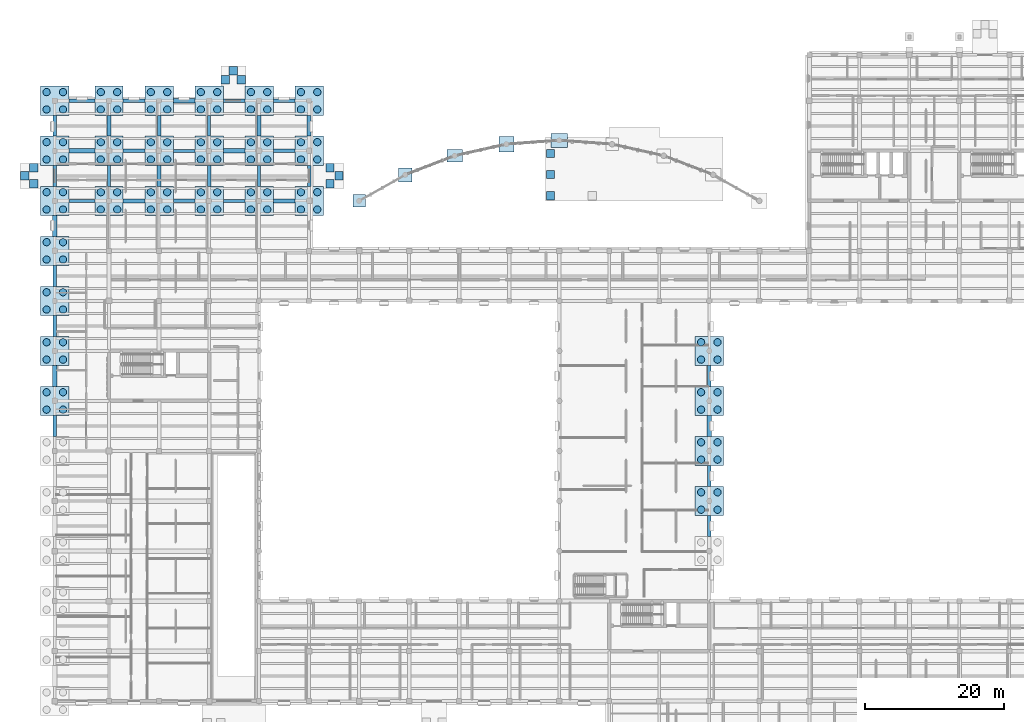
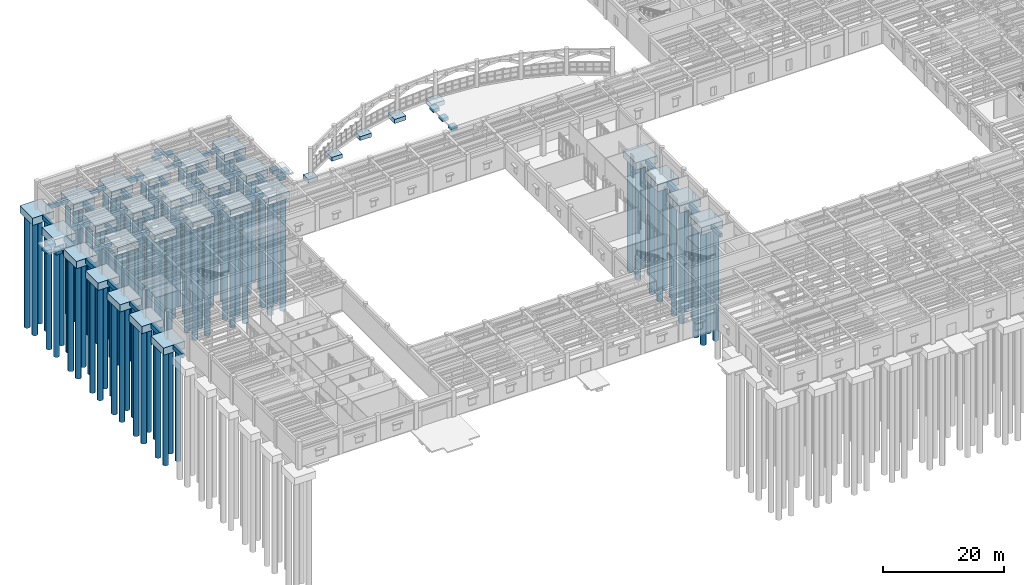
# One storey, part 2 of 100: 104 piles, 79 footings.
"""IFC4 building model written with IfcOpenShell, lengths in metres."""

from ifc_helpers import new_model, si_unit, direction, frame, origin, origin_2d, place, context, subcontext, project, spatial, rectangle, circle, extrude, material, material_profile, profile_set, type_object, element, save


model = new_model("IFC4")

# Units and contexts
model_context = context("Model", 3, precision=1e-05, world=origin(), true_north=direction((0.0, 1.0)))
body_context = subcontext(model_context, "Body", "Model", "MODEL_VIEW")
ifc_project = project(units=[si_unit("LENGTHUNIT", "METRE"), si_unit("AREAUNIT", "SQUARE_METRE"), si_unit("VOLUMEUNIT", "CUBIC_METRE"), si_unit("PLANEANGLEUNIT", "RADIAN"), si_unit("MASSUNIT", "GRAM", prefix="KILO")], contexts=[model_context])

# Site, building, storey
site_placement = place(None, origin())
site = spatial("IfcSite", under=ifc_project, at=site_placement, CompositionType="ELEMENT")
building_placement = place(site_placement, origin())
building = spatial("IfcBuilding", under=site, at=building_placement, Name="Mithqara Police Headquarters", CompositionType="ELEMENT")
storey_placement = place(building_placement, origin())
storey = spatial("IfcBuildingStorey", under=building, at=storey_placement, Name="L00", CompositionType="ELEMENT", Elevation=0.0)

# Footings
ifc_material = material(Name="Concrete C40/50", Category="concrete")
footing_type_1 = type_object("IfcFootingType", Name="GROUND BEAM 450X750", PredefinedType="FOOTING_BEAM", material=ifc_material)
footing_1_placement = place(storey_placement, frame((0.0, 75.0, -1.070068359375), z_axis=(0.0, 0.0, 1.0), x_axis=(1.0, 0.0, 0.0)))
element("IfcFooting", 1, at=footing_1_placement, inside=storey, type_object=footing_type_1, Name="L00 Ground Tie Beam 1/L-M", PredefinedType="FOOTING_BEAM", context=body_context, shape_type="SweptSolid", body=[
    extrude(rectangle(XDim=0.449951171875, YDim=3.0, at=origin_2d()), origin(), (0.0, 0.0, 1.0), 0.75),
])
footing_2_placement = place(storey_placement, frame((3.89990234375, 93.0, -1.070068359375), z_axis=(0.0, 0.0, 1.0), x_axis=(1.0, 0.0, 0.0)))
element("IfcFooting", 2, at=footing_2_placement, inside=storey, type_object=footing_type_1, Name="L00 Ground Tie Beam 1-2/P", PredefinedType="FOOTING_BEAM", context=body_context, shape_type="SweptSolid", body=[
    extrude(rectangle(XDim=3.699951171875, YDim=0.449951171875, at=origin_2d()), origin(), (0.0, 0.0, 1.0), 0.75),
])
for number, where, z_axis, x_axis, name in (
    (3, (0.0, 103.800048828125, -1.070068359375), (0.0, 0.0, 1.0), (1.0, 0.0, 0.0), "L00 Ground Tie Beam 1/Q-R"),
    (4, (7.800048828125, 96.60009765625, -1.070068359375), (0.0, 0.0, 1.0), (1.0, 0.0, 0.0), "L00 Ground Tie Beam 2/P-Q"),
):
    element("IfcFooting", number, at=place(storey_placement, frame(where, z_axis=z_axis, x_axis=x_axis)), inside=storey, type_object=footing_type_1, Name=name, PredefinedType="FOOTING_BEAM", context=body_context, shape_type="SweptSolid", body=[
        extrude(rectangle(XDim=0.449951171875, YDim=3.0, at=origin_2d()), origin(), (0.0, 0.0, 1.0), 0.75),
    ])
for number, where, z_axis, x_axis, name in (
    (5, (11.39990234375, 107.39990234375, -1.070068359375), (0.0, 0.0, 1.0), (1.0, 0.0, 0.0), "L00 Ground Tie Beam 2-3/R"),
    (6, (18.60009765625, 100.199951171875, -1.070068359375), (0.0, 0.0, 1.0), (1.0, 0.0, 0.0), "L00 Ground Tie Beam 3-4/Q"),
    (7, (25.800048828125, 93.0, -1.070068359375), (0.0, 0.0, 1.0), (1.0, 0.0, 0.0), "L00 Ground Tie Beam 4-5/P"),
):
    element("IfcFooting", number, at=place(storey_placement, frame(where, z_axis=z_axis, x_axis=x_axis)), inside=storey, type_object=footing_type_1, Name=name, PredefinedType="FOOTING_BEAM", context=body_context, shape_type="SweptSolid", body=[
        extrude(rectangle(XDim=3.10009765625, YDim=0.449951171875, at=origin_2d()), origin(), (0.0, 0.0, 1.0), 0.75),
    ])
for number, where, z_axis, x_axis, name in (
    (8, (22.199951171875, 103.800048828125, -1.070068359375), (0.0, 0.0, 1.0), (1.0, 0.0, 0.0), "L00 Ground Tie Beam 4/Q-R"),
    (9, (29.39990234375, 96.60009765625, -1.070068359375), (0.0, 0.0, 1.0), (1.0, 0.0, 0.0), "L00 Ground Tie Beam 5/P-Q"),
):
    element("IfcFooting", number, at=place(storey_placement, frame(where, z_axis=z_axis, x_axis=x_axis)), inside=storey, type_object=footing_type_1, Name=name, PredefinedType="FOOTING_BEAM", context=body_context, shape_type="SweptSolid", body=[
        extrude(rectangle(XDim=0.449951171875, YDim=3.0, at=origin_2d()), origin(), (0.0, 0.0, 1.0), 0.75),
    ])
footing_3_placement = place(storey_placement, frame((33.0, 107.39990234375, -1.070068359375), z_axis=(0.0, 0.0, 1.0), x_axis=(1.0, 0.0, 0.0)))
element("IfcFooting", 10, at=footing_3_placement, inside=storey, type_object=footing_type_1, Name="L00 Ground Tie Beam 5-6/R", PredefinedType="FOOTING_BEAM", context=body_context, shape_type="SweptSolid", body=[
    extrude(rectangle(XDim=3.10009765625, YDim=0.449951171875, at=origin_2d()), origin(), (0.0, 0.0, 1.0), 0.75),
])
for number, where, z_axis, x_axis, name in (
    (11, (94.199951171875, 46.199951171875, -1.070068359375), (0.0, 0.0, 1.0), (1.0, 0.0, 0.0), "L00 Ground Tie Beam 14/G-H"),
    (12, (94.199951171875, 67.800048828125, -1.070068359375), (0.0, 0.0, 1.0), (1.0, 0.0, 0.0), "L00 Ground Tie Beam 14/K-L"),
):
    element("IfcFooting", number, at=place(storey_placement, frame(where, z_axis=z_axis, x_axis=x_axis)), inside=storey, type_object=footing_type_1, Name=name, PredefinedType="FOOTING_BEAM", context=body_context, shape_type="SweptSolid", body=[
        extrude(rectangle(XDim=0.449951171875, YDim=3.0, at=origin_2d()), origin(), (0.0, 0.0, 1.0), 0.75),
    ])
footing_type_2 = type_object("IfcFootingType", Name="GROUND BEAM 500X850", PredefinedType="FOOTING_BEAM", material=ifc_material)
for number, where, z_axis, x_axis, name in (
    (13, (0.0, 60.60009765625, -1.170166015625), (0.0, 0.0, 1.0), (1.0, 0.0, 0.0), "L00 Ground Tie Beam 1/J-K"),
    (14, (0.0, 82.199951171875, -1.170166015625), (0.0, 0.0, 1.0), (1.0, 0.0, 0.0), "L00 Ground Tie Beam 1/M-N"),
    (15, (0.0, 96.60009765625, -1.170166015625), (0.0, 0.0, 1.0), (1.0, 0.0, 0.0), "L00 Ground Tie Beam 1/P-Q"),
):
    element("IfcFooting", number, at=place(storey_placement, frame(where, z_axis=z_axis, x_axis=x_axis)), inside=storey, type_object=footing_type_2, Name=name, PredefinedType="FOOTING_BEAM", context=body_context, shape_type="SweptSolid", body=[
        extrude(rectangle(XDim=0.5, YDim=3.0, at=origin_2d()), origin(), (0.0, 0.0, 1.0), 0.85009765625),
    ])
footing_4_placement = place(storey_placement, frame((3.89990234375, 107.39990234375, -1.170166015625), z_axis=(0.0, 0.0, 1.0), x_axis=(1.0, 0.0, 0.0)))
element("IfcFooting", 16, at=footing_4_placement, inside=storey, type_object=footing_type_2, Name="L00 Ground Tie Beam 1-2/R", PredefinedType="FOOTING_BEAM", context=body_context, shape_type="SweptSolid", body=[
    extrude(rectangle(XDim=3.699951171875, YDim=0.5, at=origin_2d()), origin(), (0.0, 0.0, 1.0), 0.85009765625),
])
for number, where, z_axis, x_axis, name in (
    (17, (11.39990234375, 100.199951171875, -1.170166015625), (0.0, 0.0, 1.0), (1.0, 0.0, 0.0), "L00 Ground Tie Beam 2-3/Q"),
    (18, (18.60009765625, 93.0, -1.170166015625), (0.0, 0.0, 1.0), (1.0, 0.0, 0.0), "L00 Ground Tie Beam 3-4/P"),
):
    element("IfcFooting", number, at=place(storey_placement, frame(where, z_axis=z_axis, x_axis=x_axis)), inside=storey, type_object=footing_type_2, Name=name, PredefinedType="FOOTING_BEAM", context=body_context, shape_type="SweptSolid", body=[
        extrude(rectangle(XDim=3.10009765625, YDim=0.5, at=origin_2d()), origin(), (0.0, 0.0, 1.0), 0.85009765625),
    ])
for number, where, z_axis, x_axis, name in (
    (19, (15.0, 103.800048828125, -1.170166015625), (0.0, 0.0, 1.0), (1.0, 0.0, 0.0), "L00 Ground Tie Beam 3/Q-R"),
    (20, (22.199951171875, 96.60009765625, -1.170166015625), (0.0, 0.0, 1.0), (1.0, 0.0, 0.0), "L00 Ground Tie Beam 4/P-Q"),
):
    element("IfcFooting", number, at=place(storey_placement, frame(where, z_axis=z_axis, x_axis=x_axis)), inside=storey, type_object=footing_type_2, Name=name, PredefinedType="FOOTING_BEAM", context=body_context, shape_type="SweptSolid", body=[
        extrude(rectangle(XDim=0.5, YDim=3.0, at=origin_2d()), origin(), (0.0, 0.0, 1.0), 0.85009765625),
    ])
for number, where, z_axis, x_axis, name in (
    (21, (25.800048828125, 107.39990234375, -1.170166015625), (0.0, 0.0, 1.0), (1.0, 0.0, 0.0), "L00 Ground Tie Beam 4-5/R"),
    (22, (33.0, 100.199951171875, -1.170166015625), (0.0, 0.0, 1.0), (1.0, 0.0, 0.0), "L00 Ground Tie Beam 5-6/Q"),
):
    element("IfcFooting", number, at=place(storey_placement, frame(where, z_axis=z_axis, x_axis=x_axis)), inside=storey, type_object=footing_type_2, Name=name, PredefinedType="FOOTING_BEAM", context=body_context, shape_type="SweptSolid", body=[
        extrude(rectangle(XDim=3.10009765625, YDim=0.5, at=origin_2d()), origin(), (0.0, 0.0, 1.0), 0.85009765625),
    ])
for number, where, z_axis, x_axis, name in (
    (23, (36.60009765625, 96.60009765625, -1.170166015625), (0.0, 0.0, 1.0), (1.0, 0.0, 0.0), "L00 Ground Tie Beam 6/P-Q"),
    (24, (94.199951171875, 53.39990234375, -1.170166015625), (0.0, 0.0, 1.0), (1.0, 0.0, 0.0), "L00 Ground Tie Beam 14/H-J"),
):
    element("IfcFooting", number, at=place(storey_placement, frame(where, z_axis=z_axis, x_axis=x_axis)), inside=storey, type_object=footing_type_2, Name=name, PredefinedType="FOOTING_BEAM", context=body_context, shape_type="SweptSolid", body=[
        extrude(rectangle(XDim=0.5, YDim=3.0, at=origin_2d()), origin(), (0.0, 0.0, 1.0), 0.85009765625),
    ])
footing_type_3 = type_object("IfcFootingType", Name="GROUND BEAM 600X950", PredefinedType="FOOTING_BEAM", material=ifc_material)
for number, where, z_axis, x_axis, name in (
    (25, (0.0, 67.800048828125, -1.27001953125), (0.0, 0.0, 1.0), (1.0, 0.0, 0.0), "L00 Ground Tie Beam 1/K-L"),
    (26, (0.0, 89.39990234375, -1.27001953125), (0.0, 0.0, 1.0), (1.0, 0.0, 0.0), "L00 Ground Tie Beam 1/N-P"),
):
    element("IfcFooting", number, at=place(storey_placement, frame(where, z_axis=z_axis, x_axis=x_axis)), inside=storey, type_object=footing_type_3, Name=name, PredefinedType="FOOTING_BEAM", context=body_context, shape_type="SweptSolid", body=[
        extrude(rectangle(XDim=0.60009765625, YDim=3.0, at=origin_2d()), origin(), (0.0, 0.0, 1.0), 0.949951171875),
    ])
footing_5_placement = place(storey_placement, frame((3.89990234375, 100.199951171875, -1.27001953125), z_axis=(0.0, 0.0, 1.0), x_axis=(1.0, 0.0, 0.0)))
element("IfcFooting", 27, at=footing_5_placement, inside=storey, type_object=footing_type_3, Name="L00 Ground Tie Beam 1-2/Q", PredefinedType="FOOTING_BEAM", context=body_context, shape_type="SweptSolid", body=[
    extrude(rectangle(XDim=3.699951171875, YDim=0.60009765625, at=origin_2d()), origin(), (0.0, 0.0, 1.0), 0.949951171875),
])
footing_6_placement = place(storey_placement, frame((11.39990234375, 93.0, -1.27001953125), z_axis=(0.0, 0.0, 1.0), x_axis=(1.0, 0.0, 0.0)))
element("IfcFooting", 28, at=footing_6_placement, inside=storey, type_object=footing_type_3, Name="L00 Ground Tie Beam 2-3/P", PredefinedType="FOOTING_BEAM", context=body_context, shape_type="SweptSolid", body=[
    extrude(rectangle(XDim=3.10009765625, YDim=0.60009765625, at=origin_2d()), origin(), (0.0, 0.0, 1.0), 0.949951171875),
])
for number, where, z_axis, x_axis, name in (
    (29, (7.800048828125, 103.800048828125, -1.27001953125), (0.0, 0.0, 1.0), (1.0, 0.0, 0.0), "L00 Ground Tie Beam 2/Q-R"),
    (30, (15.0, 96.60009765625, -1.27001953125), (0.0, 0.0, 1.0), (1.0, 0.0, 0.0), "L00 Ground Tie Beam 3/P-Q"),
):
    element("IfcFooting", number, at=place(storey_placement, frame(where, z_axis=z_axis, x_axis=x_axis)), inside=storey, type_object=footing_type_3, Name=name, PredefinedType="FOOTING_BEAM", context=body_context, shape_type="SweptSolid", body=[
        extrude(rectangle(XDim=0.60009765625, YDim=3.0, at=origin_2d()), origin(), (0.0, 0.0, 1.0), 0.949951171875),
    ])
for number, where, z_axis, x_axis, name in (
    (31, (18.60009765625, 107.39990234375, -1.27001953125), (0.0, 0.0, 1.0), (1.0, 0.0, 0.0), "L00 Ground Tie Beam 3-4/R"),
    (32, (25.800048828125, 100.199951171875, -1.27001953125), (0.0, 0.0, 1.0), (1.0, 0.0, 0.0), "L00 Ground Tie Beam 4-5/Q"),
    (33, (33.0, 93.0, -1.27001953125), (0.0, 0.0, 1.0), (1.0, 0.0, 0.0), "L00 Ground Tie Beam 5-6/P"),
):
    element("IfcFooting", number, at=place(storey_placement, frame(where, z_axis=z_axis, x_axis=x_axis)), inside=storey, type_object=footing_type_3, Name=name, PredefinedType="FOOTING_BEAM", context=body_context, shape_type="SweptSolid", body=[
        extrude(rectangle(XDim=3.10009765625, YDim=0.60009765625, at=origin_2d()), origin(), (0.0, 0.0, 1.0), 0.949951171875),
    ])
for number, where, z_axis, x_axis, name in (
    (34, (29.39990234375, 103.800048828125, -1.27001953125), (0.0, 0.0, 1.0), (1.0, 0.0, 0.0), "L00 Ground Tie Beam 5/Q-R"),
    (35, (36.60009765625, 103.800048828125, -1.27001953125), (0.0, 0.0, 1.0), (1.0, 0.0, 0.0), "L00 Ground Tie Beam 6/Q-R"),
    (36, (94.199951171875, 60.60009765625, -1.27001953125), (0.0, 0.0, 1.0), (1.0, 0.0, 0.0), "L00 Ground Tie Beam 14/J-K"),
):
    element("IfcFooting", number, at=place(storey_placement, frame(where, z_axis=z_axis, x_axis=x_axis)), inside=storey, type_object=footing_type_3, Name=name, PredefinedType="FOOTING_BEAM", context=body_context, shape_type="SweptSolid", body=[
        extrude(rectangle(XDim=0.60009765625, YDim=3.0, at=origin_2d()), origin(), (0.0, 0.0, 1.0), 0.949951171875),
    ])
footing_type_4 = type_object("IfcFootingType", Name="PAD FOOTING 1200X1200X650", PredefinedType="PAD_FOOTING", material=ifc_material)
for number, where, z_axis, x_axis, name in (
    (37, (71.35009765625, 93.75, -0.909912109375), (0.0, 0.0, 1.0), (1.0, 0.0, 0.0), "Public Entrance Portal Forecourt Apron Support Pad 1"),
    (38, (71.35009765625, 96.783203125, -0.909912109375), (0.0, 0.0, 1.0), (1.0, 0.0, 0.0), "Public Entrance Portal Forecourt Apron Support Pad 2"),
    (39, (71.35009765625, 99.816650390625, -0.909912109375), (0.0, 0.0, 1.0), (1.0, 0.0, 0.0), "Public Entrance Portal Forecourt Apron Support Pad 3"),
    (40, (39.610107421875, 95.449951171875, -0.909912109375), (0.0, 0.0, 1.0), (1.0, 0.0, 0.0), "Ground Exit Threshold Footing 6-1"),
    (41, (39.610107421875, 97.75, -0.909912109375), (0.0, 0.0, 1.0), (1.0, 0.0, 0.0), "Ground Exit Threshold Footing 6-2"),
    (42, (40.909912109375, 96.60009765625, -0.909912109375), (0.0, 0.0, 1.0), (1.0, 0.0, 0.0), "Ground Exit Threshold Footing 6-3"),
    (43, (26.833984375, 110.409912109375, -0.909912109375), (0.0, 0.0, 1.0), (1.0, 0.0, 0.0), "Ground Exit Threshold Footing 7-1"),
    (44, (24.533935546875, 110.409912109375, -0.909912109375), (0.0, 0.0, 1.0), (1.0, 0.0, 0.0), "Ground Exit Threshold Footing 7-2"),
    (45, (25.68408203125, 111.7099609375, -0.909912109375), (0.0, 0.0, 1.0), (1.0, 0.0, 0.0), "Ground Exit Threshold Footing 7-3"),
    (46, (-3.010009765625, 97.75, -0.909912109375), (0.0, 0.0, 1.0), (1.0, 0.0, 0.0), "Ground Exit Threshold Footing 8-1"),
    (47, (-3.010009765625, 95.449951171875, -0.909912109375), (0.0, 0.0, 1.0), (1.0, 0.0, 0.0), "Ground Exit Threshold Footing 8-2"),
    (48, (-4.31005859375, 96.60009765625, -0.909912109375), (0.0, 0.0, 1.0), (1.0, 0.0, 0.0), "Ground Exit Threshold Footing 8-3"),
):
    element("IfcFooting", number, at=place(storey_placement, frame(where, z_axis=z_axis, x_axis=x_axis)), inside=storey, type_object=footing_type_4, Name=name, PredefinedType="PAD_FOOTING", context=body_context, shape_type="SweptSolid", body=[
        extrude(rectangle(XDim=1.199951171875, YDim=1.199951171875, at=origin_2d()), origin(), (0.0, 0.0, 1.0), 0.64990234375),
    ])
footing_type_5 = type_object("IfcFootingType", Name="PAD FOOTING 1800X1800X750", PredefinedType="PAD_FOOTING", material=ifc_material)
footing_7_placement = place(storey_placement, frame((43.800048828125, 93.0, -1.070068359375), z_axis=(0.0, 0.0, 1.0), x_axis=(1.0, 0.0, 0.0)))
element("IfcFooting", 49, at=footing_7_placement, inside=storey, type_object=footing_type_5, Name="Forecourt Arcade Footing 1", PredefinedType="PAD_FOOTING", context=body_context, shape_type="SweptSolid", body=[
    extrude(rectangle(XDim=1.800048828125, YDim=1.800048828125, at=origin_2d()), origin(), (0.0, 0.0, 1.0), 0.75),
])
footing_type_6 = type_object("IfcFootingType", Name="PAD FOOTING 2000X2000X800", PredefinedType="PAD_FOOTING", material=ifc_material)
footing_8_placement = place(storey_placement, frame((50.440185546875, 96.74560546875, -1.1201171875), z_axis=(0.0, 0.0, 1.0), x_axis=(1.0, 0.0, 0.0)))
element("IfcFooting", 50, at=footing_8_placement, inside=storey, type_object=footing_type_6, Name="Forecourt Arcade Footing 2", PredefinedType="PAD_FOOTING", context=body_context, shape_type="SweptSolid", body=[
    extrude(rectangle(XDim=2.0, YDim=2.0, at=origin_2d()), origin(), (0.0, 0.0, 1.0), 0.800048828125),
])
footing_type_7 = type_object("IfcFootingType", Name="PAD FOOTING 2200X1800X800", PredefinedType="PAD_FOOTING", material=ifc_material)
footing_9_placement = place(storey_placement, frame((57.556884765625, 99.480224609375, -1.1201171875), z_axis=(0.0, 0.0, 1.0), x_axis=(1.0, 0.0, 0.0)))
element("IfcFooting", 51, at=footing_9_placement, inside=storey, type_object=footing_type_7, Name="Forecourt Arcade Footing 3", PredefinedType="PAD_FOOTING", context=body_context, shape_type="SweptSolid", body=[
    extrude(rectangle(XDim=2.199951171875, YDim=1.800048828125, at=origin_2d()), origin(), (0.0, 0.0, 1.0), 0.800048828125),
])
footing_type_8 = type_object("IfcFootingType", Name="PAD FOOTING 2200X2200X850", PredefinedType="PAD_FOOTING", material=ifc_material)
footing_10_placement = place(storey_placement, frame((64.99658203125, 101.14501953125, -1.170166015625), z_axis=(0.0, 0.0, 1.0), x_axis=(1.0, 0.0, 0.0)))
element("IfcFooting", 52, at=footing_10_placement, inside=storey, type_object=footing_type_8, Name="Forecourt Arcade Footing 4", PredefinedType="PAD_FOOTING", context=body_context, shape_type="SweptSolid", body=[
    extrude(rectangle(XDim=2.199951171875, YDim=2.199951171875, at=origin_2d()), origin(), (0.0, 0.0, 1.0), 0.85009765625),
])
footing_type_9 = type_object("IfcFootingType", Name="PAD FOOTING 2400X2000X850", PredefinedType="PAD_FOOTING", material=ifc_material)
footing_11_placement = place(storey_placement, frame((72.60009765625, 101.703857421875, -1.170166015625), z_axis=(0.0, 0.0, 1.0), x_axis=(1.0, 0.0, 0.0)))
element("IfcFooting", 53, at=footing_11_placement, inside=storey, type_object=footing_type_9, Name="Forecourt Arcade Footing 5", PredefinedType="PAD_FOOTING", context=body_context, shape_type="SweptSolid", body=[
    extrude(rectangle(XDim=2.39990234375, YDim=2.0, at=origin_2d()), origin(), (0.0, 0.0, 1.0), 0.85009765625),
])
footing_type_10 = type_object("IfcFootingType", Name="PILE CAP 4P 3800X4200X1450", PredefinedType="PILE_CAP", material=ifc_material)
for number, where, z_axis, x_axis, name in (
    (54, (0.0, 64.199951171875, -1.77001953125), (0.0, 0.0, 1.0), (1.0, 0.0, 0.0), "L00 Pile Cap 1/K"),
    (55, (0.0, 71.39990234375, -1.77001953125), (0.0, 0.0, 1.0), (1.0, 0.0, 0.0), "L00 Pile Cap 1/L"),
    (56, (0.0, 78.60009765625, -1.77001953125), (0.0, 0.0, 1.0), (1.0, 0.0, 0.0), "L00 Pile Cap 1/M"),
    (57, (0.0, 85.800048828125, -1.77001953125), (0.0, 0.0, 1.0), (1.0, 0.0, 0.0), "L00 Pile Cap 1/N"),
    (58, (0.0, 93.0, -1.77001953125), (0.0, 0.0, 1.0), (1.0, 0.0, 0.0), "L00 Pile Cap 1/P"),
    (59, (0.0, 100.199951171875, -1.77001953125), (0.0, 0.0, 1.0), (1.0, 0.0, 0.0), "L00 Pile Cap 1/Q"),
    (60, (0.0, 107.39990234375, -1.77001953125), (0.0, 0.0, 1.0), (1.0, 0.0, 0.0), "L00 Pile Cap 1/R"),
    (61, (7.800048828125, 93.0, -1.77001953125), (0.0, 0.0, 1.0), (1.0, 0.0, 0.0), "L00 Pile Cap 2/P"),
    (62, (7.800048828125, 100.199951171875, -1.77001953125), (0.0, 0.0, 1.0), (1.0, 0.0, 0.0), "L00 Pile Cap 2/Q"),
    (63, (7.800048828125, 107.39990234375, -1.77001953125), (0.0, 0.0, 1.0), (1.0, 0.0, 0.0), "L00 Pile Cap 2/R"),
    (64, (15.0, 93.0, -1.77001953125), (0.0, 0.0, 1.0), (1.0, 0.0, 0.0), "L00 Pile Cap 3/P"),
    (65, (15.0, 100.199951171875, -1.77001953125), (0.0, 0.0, 1.0), (1.0, 0.0, 0.0), "L00 Pile Cap 3/Q"),
    (66, (15.0, 107.39990234375, -1.77001953125), (0.0, 0.0, 1.0), (1.0, 0.0, 0.0), "L00 Pile Cap 3/R"),
    (67, (22.199951171875, 93.0, -1.77001953125), (0.0, 0.0, 1.0), (1.0, 0.0, 0.0), "L00 Pile Cap 4/P"),
    (68, (22.199951171875, 100.199951171875, -1.77001953125), (0.0, 0.0, 1.0), (1.0, 0.0, 0.0), "L00 Pile Cap 4/Q"),
    (69, (22.199951171875, 107.39990234375, -1.77001953125), (0.0, 0.0, 1.0), (1.0, 0.0, 0.0), "L00 Pile Cap 4/R"),
    (70, (29.39990234375, 93.0, -1.77001953125), (0.0, 0.0, 1.0), (1.0, 0.0, 0.0), "L00 Pile Cap 5/P"),
    (71, (29.39990234375, 100.199951171875, -1.77001953125), (0.0, 0.0, 1.0), (1.0, 0.0, 0.0), "L00 Pile Cap 5/Q"),
    (72, (29.39990234375, 107.39990234375, -1.77001953125), (0.0, 0.0, 1.0), (1.0, 0.0, 0.0), "L00 Pile Cap 5/R"),
    (73, (36.60009765625, 93.0, -1.77001953125), (0.0, 0.0, 1.0), (1.0, 0.0, 0.0), "L00 Pile Cap 6/P"),
    (74, (36.60009765625, 100.199951171875, -1.77001953125), (0.0, 0.0, 1.0), (1.0, 0.0, 0.0), "L00 Pile Cap 6/Q"),
    (75, (36.60009765625, 107.39990234375, -1.77001953125), (0.0, 0.0, 1.0), (1.0, 0.0, 0.0), "L00 Pile Cap 6/R"),
    (76, (94.199951171875, 49.800048828125, -1.77001953125), (0.0, 0.0, 1.0), (1.0, 0.0, 0.0), "L00 Pile Cap 14/H"),
    (77, (94.199951171875, 57.0, -1.77001953125), (0.0, 0.0, 1.0), (1.0, 0.0, 0.0), "L00 Pile Cap 14/J"),
    (78, (94.199951171875, 64.199951171875, -1.77001953125), (0.0, 0.0, 1.0), (1.0, 0.0, 0.0), "L00 Pile Cap 14/K"),
    (79, (94.199951171875, 71.39990234375, -1.77001953125), (0.0, 0.0, 1.0), (1.0, 0.0, 0.0), "L00 Pile Cap 14/L"),
):
    element("IfcFooting", number, at=place(storey_placement, frame(where, z_axis=z_axis, x_axis=x_axis)), inside=storey, type_object=footing_type_10, Name=name, PredefinedType="PILE_CAP", context=body_context, shape_type="SweptSolid", body=[
        extrude(rectangle(XDim=4.10009765625, YDim=4.199951171875, at=origin_2d()), origin(), (0.0, 0.0, 1.0), 1.449951171875),
    ])

# Piles
ifc_material_profile = material_profile(ifc_material, circle(Radius=0.52490234375, at=origin_2d()), Name="PILE D1050")
ifc_profile_set = profile_set([ifc_material_profile], Name="Concrete C40/50")
pile_type = type_object("IfcPileType", Name="PILE D1050 22M", PredefinedType="BORED", material=ifc_profile_set)
for number, where, z_axis, x_axis, name in (
    (80, (-1.179931640625, 62.949951171875, -1.6201171875), (0.0, 0.0, -1.0), (1.0, 0.0, 0.0), "Bored Pile 1/K-1"),
    (81, (1.179931640625, 62.949951171875, -1.6201171875), (0.0, 0.0, -1.0), (1.0, 0.0, 0.0), "Bored Pile 1/K-2"),
    (82, (-1.179931640625, 65.449951171875, -1.6201171875), (0.0, 0.0, -1.0), (1.0, 0.0, 0.0), "Bored Pile 1/K-3"),
    (83, (1.179931640625, 65.449951171875, -1.6201171875), (0.0, 0.0, -1.0), (1.0, 0.0, 0.0), "Bored Pile 1/K-4"),
    (84, (-1.179931640625, 70.14990234375, -1.6201171875), (0.0, 0.0, -1.0), (1.0, 0.0, 0.0), "Bored Pile 1/L-1"),
    (85, (1.179931640625, 70.14990234375, -1.6201171875), (0.0, 0.0, -1.0), (1.0, 0.0, 0.0), "Bored Pile 1/L-2"),
    (86, (-1.179931640625, 72.64990234375, -1.6201171875), (0.0, 0.0, -1.0), (1.0, 0.0, 0.0), "Bored Pile 1/L-3"),
    (87, (1.179931640625, 72.64990234375, -1.6201171875), (0.0, 0.0, -1.0), (1.0, 0.0, 0.0), "Bored Pile 1/L-4"),
    (88, (-1.179931640625, 77.35009765625, -1.6201171875), (0.0, 0.0, -1.0), (1.0, 0.0, 0.0), "Bored Pile 1/M-1"),
    (89, (1.179931640625, 77.35009765625, -1.6201171875), (0.0, 0.0, -1.0), (1.0, 0.0, 0.0), "Bored Pile 1/M-2"),
    (90, (-1.179931640625, 79.85009765625, -1.6201171875), (0.0, 0.0, -1.0), (1.0, 0.0, 0.0), "Bored Pile 1/M-3"),
    (91, (1.179931640625, 79.85009765625, -1.6201171875), (0.0, 0.0, -1.0), (1.0, 0.0, 0.0), "Bored Pile 1/M-4"),
    (92, (-1.179931640625, 84.550048828125, -1.6201171875), (0.0, 0.0, -1.0), (1.0, 0.0, 0.0), "Bored Pile 1/N-1"),
    (93, (1.179931640625, 84.550048828125, -1.6201171875), (0.0, 0.0, -1.0), (1.0, 0.0, 0.0), "Bored Pile 1/N-2"),
    (94, (-1.179931640625, 87.050048828125, -1.6201171875), (0.0, 0.0, -1.0), (1.0, 0.0, 0.0), "Bored Pile 1/N-3"),
    (95, (1.179931640625, 87.050048828125, -1.6201171875), (0.0, 0.0, -1.0), (1.0, 0.0, 0.0), "Bored Pile 1/N-4"),
    (96, (-1.179931640625, 91.75, -1.6201171875), (0.0, 0.0, -1.0), (1.0, 0.0, 0.0), "Bored Pile 1/P-1"),
    (97, (1.179931640625, 91.75, -1.6201171875), (0.0, 0.0, -1.0), (1.0, 0.0, 0.0), "Bored Pile 1/P-2"),
    (98, (-1.179931640625, 94.25, -1.6201171875), (0.0, 0.0, -1.0), (1.0, 0.0, 0.0), "Bored Pile 1/P-3"),
    (99, (1.179931640625, 94.25, -1.6201171875), (0.0, 0.0, -1.0), (1.0, 0.0, 0.0), "Bored Pile 1/P-4"),
    (100, (-1.179931640625, 98.949951171875, -1.6201171875), (0.0, 0.0, -1.0), (1.0, 0.0, 0.0), "Bored Pile 1/Q-1"),
    (101, (1.179931640625, 98.949951171875, -1.6201171875), (0.0, 0.0, -1.0), (1.0, 0.0, 0.0), "Bored Pile 1/Q-2"),
    (102, (-1.179931640625, 101.449951171875, -1.6201171875), (0.0, 0.0, -1.0), (1.0, 0.0, 0.0), "Bored Pile 1/Q-3"),
    (103, (1.179931640625, 101.449951171875, -1.6201171875), (0.0, 0.0, -1.0), (1.0, 0.0, 0.0), "Bored Pile 1/Q-4"),
    (104, (-1.179931640625, 106.14990234375, -1.6201171875), (0.0, 0.0, -1.0), (1.0, 0.0, 0.0), "Bored Pile 1/R-1"),
    (105, (1.179931640625, 106.14990234375, -1.6201171875), (0.0, 0.0, -1.0), (1.0, 0.0, 0.0), "Bored Pile 1/R-2"),
    (106, (-1.179931640625, 108.64990234375, -1.6201171875), (0.0, 0.0, -1.0), (1.0, 0.0, 0.0), "Bored Pile 1/R-3"),
    (107, (1.179931640625, 108.64990234375, -1.6201171875), (0.0, 0.0, -1.0), (1.0, 0.0, 0.0), "Bored Pile 1/R-4"),
    (108, (6.6201171875, 91.75, -1.6201171875), (0.0, 0.0, -1.0), (1.0, 0.0, 0.0), "Bored Pile 2/P-1"),
    (109, (8.97998046875, 91.75, -1.6201171875), (0.0, 0.0, -1.0), (1.0, 0.0, 0.0), "Bored Pile 2/P-2"),
    (110, (6.6201171875, 94.25, -1.6201171875), (0.0, 0.0, -1.0), (1.0, 0.0, 0.0), "Bored Pile 2/P-3"),
    (111, (8.97998046875, 94.25, -1.6201171875), (0.0, 0.0, -1.0), (1.0, 0.0, 0.0), "Bored Pile 2/P-4"),
    (112, (6.6201171875, 98.949951171875, -1.6201171875), (0.0, 0.0, -1.0), (1.0, 0.0, 0.0), "Bored Pile 2/Q-1"),
    (113, (8.97998046875, 98.949951171875, -1.6201171875), (0.0, 0.0, -1.0), (1.0, 0.0, 0.0), "Bored Pile 2/Q-2"),
    (114, (6.6201171875, 101.449951171875, -1.6201171875), (0.0, 0.0, -1.0), (1.0, 0.0, 0.0), "Bored Pile 2/Q-3"),
    (115, (8.97998046875, 101.449951171875, -1.6201171875), (0.0, 0.0, -1.0), (1.0, 0.0, 0.0), "Bored Pile 2/Q-4"),
    (116, (6.6201171875, 106.14990234375, -1.6201171875), (0.0, 0.0, -1.0), (1.0, 0.0, 0.0), "Bored Pile 2/R-1"),
    (117, (8.97998046875, 106.14990234375, -1.6201171875), (0.0, 0.0, -1.0), (1.0, 0.0, 0.0), "Bored Pile 2/R-2"),
    (118, (6.6201171875, 108.64990234375, -1.6201171875), (0.0, 0.0, -1.0), (1.0, 0.0, 0.0), "Bored Pile 2/R-3"),
    (119, (8.97998046875, 108.64990234375, -1.6201171875), (0.0, 0.0, -1.0), (1.0, 0.0, 0.0), "Bored Pile 2/R-4"),
    (120, (13.820068359375, 91.75, -1.6201171875), (0.0, 0.0, -1.0), (1.0, 0.0, 0.0), "Bored Pile 3/P-1"),
    (121, (16.179931640625, 91.75, -1.6201171875), (0.0, 0.0, -1.0), (1.0, 0.0, 0.0), "Bored Pile 3/P-2"),
    (122, (13.820068359375, 94.25, -1.6201171875), (0.0, 0.0, -1.0), (1.0, 0.0, 0.0), "Bored Pile 3/P-3"),
    (123, (16.179931640625, 94.25, -1.6201171875), (0.0, 0.0, -1.0), (1.0, 0.0, 0.0), "Bored Pile 3/P-4"),
    (124, (13.820068359375, 98.949951171875, -1.6201171875), (0.0, 0.0, -1.0), (1.0, 0.0, 0.0), "Bored Pile 3/Q-1"),
    (125, (16.179931640625, 98.949951171875, -1.6201171875), (0.0, 0.0, -1.0), (1.0, 0.0, 0.0), "Bored Pile 3/Q-2"),
    (126, (13.820068359375, 101.449951171875, -1.6201171875), (0.0, 0.0, -1.0), (1.0, 0.0, 0.0), "Bored Pile 3/Q-3"),
    (127, (16.179931640625, 101.449951171875, -1.6201171875), (0.0, 0.0, -1.0), (1.0, 0.0, 0.0), "Bored Pile 3/Q-4"),
    (128, (13.820068359375, 106.14990234375, -1.6201171875), (0.0, 0.0, -1.0), (1.0, 0.0, 0.0), "Bored Pile 3/R-1"),
    (129, (16.179931640625, 106.14990234375, -1.6201171875), (0.0, 0.0, -1.0), (1.0, 0.0, 0.0), "Bored Pile 3/R-2"),
    (130, (13.820068359375, 108.64990234375, -1.6201171875), (0.0, 0.0, -1.0), (1.0, 0.0, 0.0), "Bored Pile 3/R-3"),
    (131, (16.179931640625, 108.64990234375, -1.6201171875), (0.0, 0.0, -1.0), (1.0, 0.0, 0.0), "Bored Pile 3/R-4"),
    (132, (21.02001953125, 91.75, -1.6201171875), (0.0, 0.0, -1.0), (1.0, 0.0, 0.0), "Bored Pile 4/P-1"),
    (133, (23.3798828125, 91.75, -1.6201171875), (0.0, 0.0, -1.0), (1.0, 0.0, 0.0), "Bored Pile 4/P-2"),
    (134, (21.02001953125, 94.25, -1.6201171875), (0.0, 0.0, -1.0), (1.0, 0.0, 0.0), "Bored Pile 4/P-3"),
    (135, (23.3798828125, 94.25, -1.6201171875), (0.0, 0.0, -1.0), (1.0, 0.0, 0.0), "Bored Pile 4/P-4"),
    (136, (21.02001953125, 98.949951171875, -1.6201171875), (0.0, 0.0, -1.0), (1.0, 0.0, 0.0), "Bored Pile 4/Q-1"),
    (137, (23.3798828125, 98.949951171875, -1.6201171875), (0.0, 0.0, -1.0), (1.0, 0.0, 0.0), "Bored Pile 4/Q-2"),
    (138, (21.02001953125, 101.449951171875, -1.6201171875), (0.0, 0.0, -1.0), (1.0, 0.0, 0.0), "Bored Pile 4/Q-3"),
    (139, (23.3798828125, 101.449951171875, -1.6201171875), (0.0, 0.0, -1.0), (1.0, 0.0, 0.0), "Bored Pile 4/Q-4"),
    (140, (21.02001953125, 106.14990234375, -1.6201171875), (0.0, 0.0, -1.0), (1.0, 0.0, 0.0), "Bored Pile 4/R-1"),
    (141, (23.3798828125, 106.14990234375, -1.6201171875), (0.0, 0.0, -1.0), (1.0, 0.0, 0.0), "Bored Pile 4/R-2"),
    (142, (21.02001953125, 108.64990234375, -1.6201171875), (0.0, 0.0, -1.0), (1.0, 0.0, 0.0), "Bored Pile 4/R-3"),
    (143, (23.3798828125, 108.64990234375, -1.6201171875), (0.0, 0.0, -1.0), (1.0, 0.0, 0.0), "Bored Pile 4/R-4"),
    (144, (28.219970703125, 91.75, -1.6201171875), (0.0, 0.0, -1.0), (1.0, 0.0, 0.0), "Bored Pile 5/P-1"),
    (145, (30.580078125, 91.75, -1.6201171875), (0.0, 0.0, -1.0), (1.0, 0.0, 0.0), "Bored Pile 5/P-2"),
    (146, (28.219970703125, 94.25, -1.6201171875), (0.0, 0.0, -1.0), (1.0, 0.0, 0.0), "Bored Pile 5/P-3"),
    (147, (30.580078125, 94.25, -1.6201171875), (0.0, 0.0, -1.0), (1.0, 0.0, 0.0), "Bored Pile 5/P-4"),
    (148, (28.219970703125, 98.949951171875, -1.6201171875), (0.0, 0.0, -1.0), (1.0, 0.0, 0.0), "Bored Pile 5/Q-1"),
    (149, (30.580078125, 98.949951171875, -1.6201171875), (0.0, 0.0, -1.0), (1.0, 0.0, 0.0), "Bored Pile 5/Q-2"),
    (150, (28.219970703125, 101.449951171875, -1.6201171875), (0.0, 0.0, -1.0), (1.0, 0.0, 0.0), "Bored Pile 5/Q-3"),
    (151, (30.580078125, 101.449951171875, -1.6201171875), (0.0, 0.0, -1.0), (1.0, 0.0, 0.0), "Bored Pile 5/Q-4"),
    (152, (28.219970703125, 106.14990234375, -1.6201171875), (0.0, 0.0, -1.0), (1.0, 0.0, 0.0), "Bored Pile 5/R-1"),
    (153, (30.580078125, 106.14990234375, -1.6201171875), (0.0, 0.0, -1.0), (1.0, 0.0, 0.0), "Bored Pile 5/R-2"),
    (154, (28.219970703125, 108.64990234375, -1.6201171875), (0.0, 0.0, -1.0), (1.0, 0.0, 0.0), "Bored Pile 5/R-3"),
    (155, (30.580078125, 108.64990234375, -1.6201171875), (0.0, 0.0, -1.0), (1.0, 0.0, 0.0), "Bored Pile 5/R-4"),
    (156, (35.419921875, 91.75, -1.6201171875), (0.0, 0.0, -1.0), (1.0, 0.0, 0.0), "Bored Pile 6/P-1"),
    (157, (37.780029296875, 91.75, -1.6201171875), (0.0, 0.0, -1.0), (1.0, 0.0, 0.0), "Bored Pile 6/P-2"),
    (158, (35.419921875, 94.25, -1.6201171875), (0.0, 0.0, -1.0), (1.0, 0.0, 0.0), "Bored Pile 6/P-3"),
    (159, (37.780029296875, 94.25, -1.6201171875), (0.0, 0.0, -1.0), (1.0, 0.0, 0.0), "Bored Pile 6/P-4"),
    (160, (35.419921875, 98.949951171875, -1.6201171875), (0.0, 0.0, -1.0), (1.0, 0.0, 0.0), "Bored Pile 6/Q-1"),
    (161, (37.780029296875, 98.949951171875, -1.6201171875), (0.0, 0.0, -1.0), (1.0, 0.0, 0.0), "Bored Pile 6/Q-2"),
    (162, (35.419921875, 101.449951171875, -1.6201171875), (0.0, 0.0, -1.0), (1.0, 0.0, 0.0), "Bored Pile 6/Q-3"),
    (163, (37.780029296875, 101.449951171875, -1.6201171875), (0.0, 0.0, -1.0), (1.0, 0.0, 0.0), "Bored Pile 6/Q-4"),
    (164, (35.419921875, 106.14990234375, -1.6201171875), (0.0, 0.0, -1.0), (1.0, 0.0, 0.0), "Bored Pile 6/R-1"),
    (165, (37.780029296875, 106.14990234375, -1.6201171875), (0.0, 0.0, -1.0), (1.0, 0.0, 0.0), "Bored Pile 6/R-2"),
    (166, (35.419921875, 108.64990234375, -1.6201171875), (0.0, 0.0, -1.0), (1.0, 0.0, 0.0), "Bored Pile 6/R-3"),
    (167, (37.780029296875, 108.64990234375, -1.6201171875), (0.0, 0.0, -1.0), (1.0, 0.0, 0.0), "Bored Pile 6/R-4"),
    (168, (93.02001953125, 48.550048828125, -1.6201171875), (0.0, 0.0, -1.0), (1.0, 0.0, 0.0), "Bored Pile 14/H-1"),
    (169, (95.3798828125, 48.550048828125, -1.6201171875), (0.0, 0.0, -1.0), (1.0, 0.0, 0.0), "Bored Pile 14/H-2"),
    (170, (93.02001953125, 51.050048828125, -1.6201171875), (0.0, 0.0, -1.0), (1.0, 0.0, 0.0), "Bored Pile 14/H-3"),
    (171, (95.3798828125, 51.050048828125, -1.6201171875), (0.0, 0.0, -1.0), (1.0, 0.0, 0.0), "Bored Pile 14/H-4"),
    (172, (93.02001953125, 55.75, -1.6201171875), (0.0, 0.0, -1.0), (1.0, 0.0, 0.0), "Bored Pile 14/J-1"),
    (173, (95.3798828125, 55.75, -1.6201171875), (0.0, 0.0, -1.0), (1.0, 0.0, 0.0), "Bored Pile 14/J-2"),
    (174, (93.02001953125, 58.25, -1.6201171875), (0.0, 0.0, -1.0), (1.0, 0.0, 0.0), "Bored Pile 14/J-3"),
    (175, (95.3798828125, 58.25, -1.6201171875), (0.0, 0.0, -1.0), (1.0, 0.0, 0.0), "Bored Pile 14/J-4"),
    (176, (93.02001953125, 62.949951171875, -1.6201171875), (0.0, 0.0, -1.0), (1.0, 0.0, 0.0), "Bored Pile 14/K-1"),
    (177, (95.3798828125, 62.949951171875, -1.6201171875), (0.0, 0.0, -1.0), (1.0, 0.0, 0.0), "Bored Pile 14/K-2"),
    (178, (93.02001953125, 65.449951171875, -1.6201171875), (0.0, 0.0, -1.0), (1.0, 0.0, 0.0), "Bored Pile 14/K-3"),
    (179, (95.3798828125, 65.449951171875, -1.6201171875), (0.0, 0.0, -1.0), (1.0, 0.0, 0.0), "Bored Pile 14/K-4"),
    (180, (93.02001953125, 70.14990234375, -1.6201171875), (0.0, 0.0, -1.0), (1.0, 0.0, 0.0), "Bored Pile 14/L-1"),
    (181, (95.3798828125, 70.14990234375, -1.6201171875), (0.0, 0.0, -1.0), (1.0, 0.0, 0.0), "Bored Pile 14/L-2"),
    (182, (93.02001953125, 72.64990234375, -1.6201171875), (0.0, 0.0, -1.0), (1.0, 0.0, 0.0), "Bored Pile 14/L-3"),
    (183, (95.3798828125, 72.64990234375, -1.6201171875), (0.0, 0.0, -1.0), (1.0, 0.0, 0.0), "Bored Pile 14/L-4"),
):
    element("IfcPile", number, at=place(storey_placement, frame(where, z_axis=z_axis, x_axis=x_axis)), inside=storey, type_object=pile_type, Name=name, PredefinedType="BORED", context=body_context, shape_type="SweptSolid", body=[
        extrude(circle(Radius=0.52490234375, at=origin_2d()), origin(), (0.0, 0.0, 1.0), 22.85009765625),
    ])

save(model, "model.ifc")
